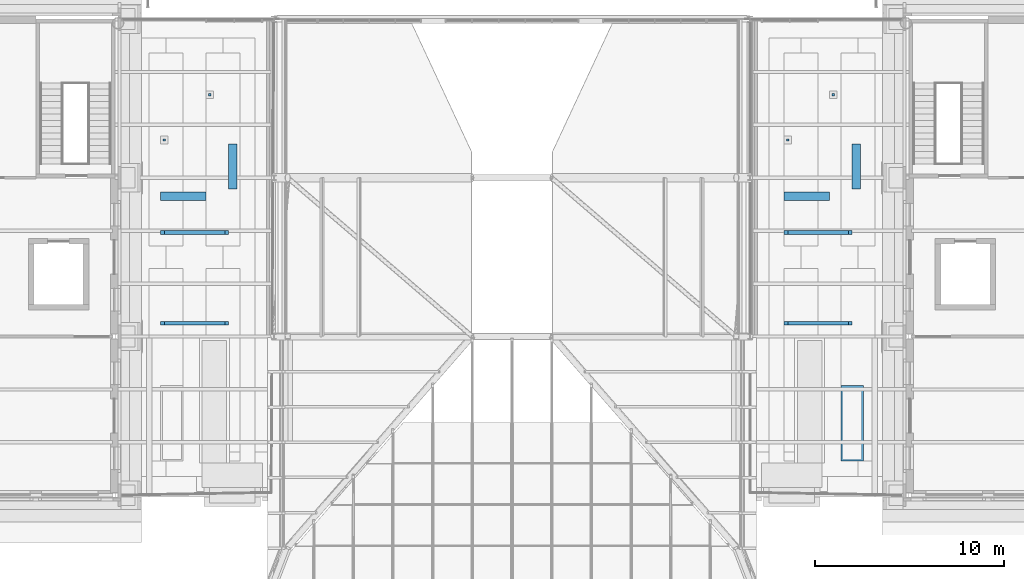
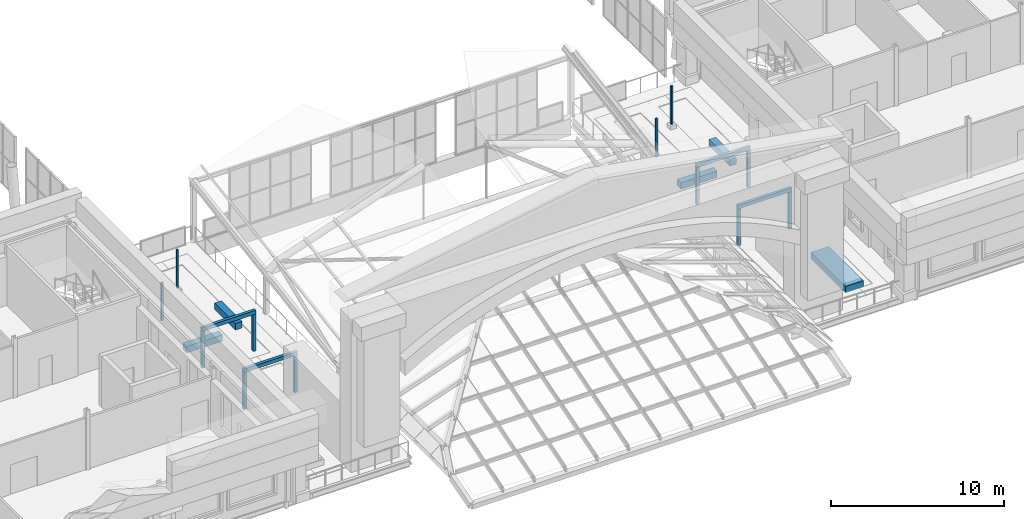
# One storey, part 49 of 76: 21 discrete accessories.
"""IFC4 building model written with IfcOpenShell, lengths in metres."""

from ifc_helpers import new_model, si_unit, direction, frame, origin, origin_2d, place, context, subcontext, project, spatial, rectangle, extrude, material, type_object, element, save


model = new_model("IFC4")

# Units and contexts
model_context = context("Model", 3, precision=1e-05, world=origin(), true_north=direction((0.0, 1.0)))
body_context = subcontext(model_context, "Body", "Model", "MODEL_VIEW")
ifc_project = project(units=[si_unit("LENGTHUNIT", "METRE"), si_unit("AREAUNIT", "SQUARE_METRE"), si_unit("VOLUMEUNIT", "CUBIC_METRE"), si_unit("PLANEANGLEUNIT", "RADIAN"), si_unit("MASSUNIT", "GRAM", prefix="KILO")], contexts=[model_context])

# Site, building, storey
site_placement = place(None, origin())
site = spatial("IfcSite", under=ifc_project, at=site_placement, CompositionType="ELEMENT")
building_placement = place(site_placement, origin())
building = spatial("IfcBuilding", under=site, at=building_placement, Name="Sava Quay Ferry Terminal", CompositionType="ELEMENT")
storey_placement = place(building_placement, frame((0.0, 0.0, 10.800048828125)))
storey = spatial("IfcBuildingStorey", under=building, at=storey_placement, Name="L02", CompositionType="ELEMENT", Elevation=10.800048828125)

# Discrete accessories
ifc_material_1 = material(Name="Timber", Category="wood")
discrete_accessory_type_1 = type_object("IfcDiscreteAccessoryType", Name="Garden bench 2400x450", PredefinedType="NOTDEFINED", material=ifc_material_1)
discrete_accessory_1_placement = place(storey_placement, frame((45.60009765625, 41.02490234375, 0.0), z_axis=(0.0, 0.0, 1.0), x_axis=(1.0, 0.0, 0.0)))
element("IfcDiscreteAccessory", 1, at=discrete_accessory_1_placement, inside=storey, type_object=discrete_accessory_type_1, Name="Garden bench", PredefinedType="NOTDEFINED", context=body_context, shape_type="SweptSolid", body=[
    extrude(rectangle(XDim=2.39990234375, YDim=0.449951171875, at=origin_2d()), origin(), (0.0, 0.0, 1.0), 0.449951171875),
])
discrete_accessory_2_placement = place(storey_placement, frame((48.22509765625, 42.60009765625, 0.0), z_axis=(0.0, 0.0, 1.0), x_axis=(1.0, 0.0, 0.0)))
element("IfcDiscreteAccessory", 2, at=discrete_accessory_2_placement, inside=storey, type_object=discrete_accessory_type_1, Name="Garden bench", PredefinedType="NOTDEFINED", context=body_context, shape_type="SweptSolid", body=[
    extrude(rectangle(XDim=0.449951171875, YDim=2.39990234375, at=origin_2d()), origin(), (0.0, 0.0, 1.0), 0.449951171875),
])
discrete_accessory_3_placement = place(storey_placement, frame((78.60009765625, 41.02490234375, 0.0), z_axis=(0.0, 0.0, 1.0), x_axis=(1.0, 0.0, 0.0)))
element("IfcDiscreteAccessory", 3, at=discrete_accessory_3_placement, inside=storey, type_object=discrete_accessory_type_1, Name="Garden bench", PredefinedType="NOTDEFINED", context=body_context, shape_type="SweptSolid", body=[
    extrude(rectangle(XDim=2.39990234375, YDim=0.449951171875, at=origin_2d()), origin(), (0.0, 0.0, 1.0), 0.449951171875),
])
discrete_accessory_4_placement = place(storey_placement, frame((81.22509765625, 42.60009765625, 0.0), z_axis=(0.0, 0.0, 1.0), x_axis=(1.0, 0.0, 0.0)))
element("IfcDiscreteAccessory", 4, at=discrete_accessory_4_placement, inside=storey, type_object=discrete_accessory_type_1, Name="Garden bench", PredefinedType="NOTDEFINED", context=body_context, shape_type="SweptSolid", body=[
    extrude(rectangle(XDim=0.449951171875, YDim=2.39990234375, at=origin_2d()), origin(), (0.0, 0.0, 1.0), 0.449951171875),
])
ifc_material_2 = material(Name="Glued laminated timber GL28h", Category="wood")
discrete_accessory_type_2 = type_object("IfcDiscreteAccessoryType", Name="Pergola beam 200x250", PredefinedType="NOTDEFINED", material=ifc_material_2)
for number, where, z_axis, x_axis, name in (
    (5, (46.199951171875, 34.300048828125, 2.599853515625), (0.0, 0.0, 1.0), (1.0, 0.0, 0.0), "Pergola beam"),
    (6, (46.199951171875, 39.10009765625, 2.599853515625), (0.0, 0.0, 1.0), (1.0, 0.0, 0.0), "Pergola beam"),
    (7, (79.199951171875, 34.300048828125, 2.599853515625), (0.0, 0.0, 1.0), (1.0, 0.0, 0.0), "Pergola beam"),
    (8, (79.199951171875, 39.10009765625, 2.599853515625), (0.0, 0.0, 1.0), (1.0, 0.0, 0.0), "Pergola beam"),
):
    element("IfcDiscreteAccessory", number, at=place(storey_placement, frame(where, z_axis=z_axis, x_axis=x_axis)), inside=storey, type_object=discrete_accessory_type_2, Name=name, PredefinedType="NOTDEFINED", context=body_context, shape_type="SweptSolid", body=[
        extrude(rectangle(XDim=3.60009765625, YDim=0.199951171875, at=origin_2d()), origin(), (0.0, 0.0, 1.0), 0.25),
    ])
ifc_material_3 = material(Name="Glued laminated timber GL28h", Category="wood")
discrete_accessory_type_3 = type_object("IfcDiscreteAccessoryType", Name="Pergola post 200", PredefinedType="NOTDEFINED", material=ifc_material_3)
for number, where, z_axis, x_axis, name in (
    (9, (44.5, 34.300048828125, 0.0), (0.0, 0.0, 1.0), (1.0, 0.0, 0.0), "Pergola post"),
    (10, (47.89990234375, 34.300048828125, 0.0), (0.0, 0.0, 1.0), (1.0, 0.0, 0.0), "Pergola post"),
    (11, (44.5, 39.10009765625, 0.0), (0.0, 0.0, 1.0), (1.0, 0.0, 0.0), "Pergola post"),
    (12, (47.89990234375, 39.10009765625, 0.0), (0.0, 0.0, 1.0), (1.0, 0.0, 0.0), "Pergola post"),
    (13, (77.5, 34.300048828125, 0.0), (0.0, 0.0, 1.0), (1.0, 0.0, 0.0), "Pergola post"),
    (14, (80.89990234375, 34.300048828125, 0.0), (0.0, 0.0, 1.0), (1.0, 0.0, 0.0), "Pergola post"),
    (15, (77.5, 39.10009765625, 0.0), (0.0, 0.0, 1.0), (1.0, 0.0, 0.0), "Pergola post"),
    (16, (80.89990234375, 39.10009765625, 0.0), (0.0, 0.0, 1.0), (1.0, 0.0, 0.0), "Pergola post"),
):
    element("IfcDiscreteAccessory", number, at=place(storey_placement, frame(where, z_axis=z_axis, x_axis=x_axis)), inside=storey, type_object=discrete_accessory_type_3, Name=name, PredefinedType="NOTDEFINED", context=body_context, shape_type="SweptSolid", body=[
        extrude(rectangle(XDim=0.199951171875, YDim=0.199951171875, at=origin_2d()), origin(), (0.0, 0.0, 1.0), 2.60009765625),
    ])
ifc_material_4 = material(Name="Precast concrete C30/37", Category="concrete")
discrete_accessory_type_4 = type_object("IfcDiscreteAccessoryType", Name="Roof planter 4000x1200", PredefinedType="NOTDEFINED", material=ifc_material_4)
discrete_accessory_5_placement = place(storey_placement, frame((81.0, 29.0, 0.0), z_axis=(0.0, 0.0, 1.0), x_axis=(1.0, 0.0, 0.0)))
element("IfcDiscreteAccessory", 17, at=discrete_accessory_5_placement, inside=storey, type_object=discrete_accessory_type_4, Name="Roof planter", PredefinedType="NOTDEFINED", context=body_context, shape_type="SweptSolid", body=[
    extrude(rectangle(XDim=1.199951171875, YDim=4.0, at=origin_2d()), origin(), (0.0, 0.0, 1.0), 0.449951171875),
])
ifc_material_5 = material(Name="Galvanised steel S355J2", Category="steel")
discrete_accessory_type_5 = type_object("IfcDiscreteAccessoryType", Name="Terrace lamp post 2700", PredefinedType="NOTDEFINED", material=ifc_material_5)
for number, where, z_axis, x_axis, name in (
    (18, (44.60009765625, 44.0, 0.2998046875), (0.0, 0.0, 1.0), (1.0, 0.0, 0.0), "Terrace lamp post"),
    (19, (47.0, 46.39990234375, 0.2998046875), (0.0, 0.0, 1.0), (1.0, 0.0, 0.0), "Terrace lamp post"),
    (20, (77.60009765625, 44.0, 0.2998046875), (0.0, 0.0, 1.0), (1.0, 0.0, 0.0), "Terrace lamp post"),
    (21, (80.0, 46.39990234375, 0.2998046875), (0.0, 0.0, 1.0), (1.0, 0.0, 0.0), "Terrace lamp post"),
):
    element("IfcDiscreteAccessory", number, at=place(storey_placement, frame(where, z_axis=z_axis, x_axis=x_axis)), inside=storey, type_object=discrete_accessory_type_5, Name=name, PredefinedType="NOTDEFINED", context=body_context, shape_type="SweptSolid", body=[
        extrude(rectangle(XDim=0.1201171875, YDim=0.1201171875, at=origin_2d()), origin(), (0.0, 0.0, 1.0), 2.699951171875),
    ])

save(model, "model.ifc")
